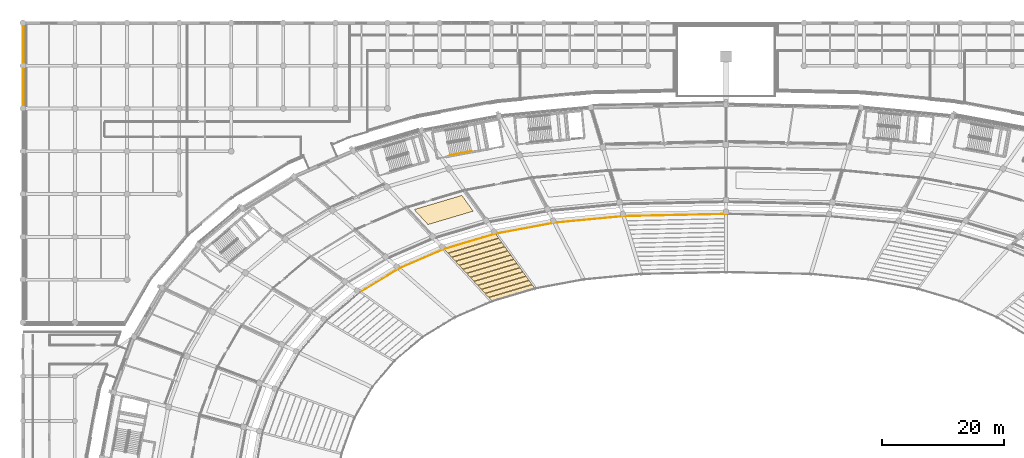
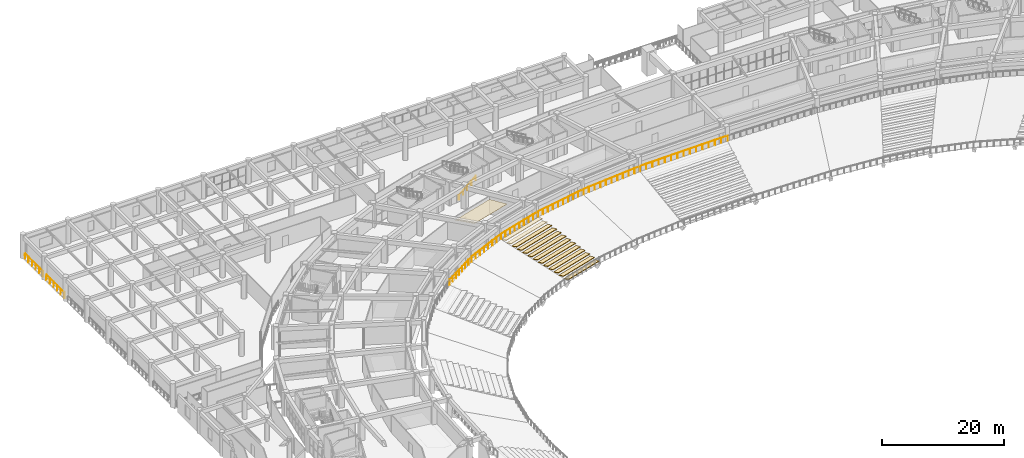
# One storey, part 146 of 152: 14 coverings, 4 railings.
"""IFC4 building model written with IfcOpenShell, lengths in metres."""

import ifcopenshell
import ifcopenshell.guid

model = None  # the IFC model being written
_history = None  # IfcOwnerHistory: only IFC2X3 demands one
_inside = {}  # id of a spatial element -> (the spatial element, [elements in it])
_under = {}  # id of a project, library or spatial element -> (it, [spatial elements below it])
_declared = {}  # id of a project -> (the project, [libraries it declares])
_typed = {}  # id of a type object -> (the type object, [elements of that type])
_made_of = {}  # id of a material, layer set ... -> (it, [elements and type objects made of it])


def new_model(schema):
    """Start an empty IFC model of exactly this schema.

    Asked for "IFC4X3", IfcOpenShell would pick the latest addendum, in which some entities
    have other attributes; the version numbers below select the first issue.
    IFC2X3 requires an IfcOwnerHistory on every rooted entity: one is made here for all.
    """
    global model, _history
    if schema == "IFC4X3":
        model = ifcopenshell.file(schema_version=(4, 3, 0, 0))
    else:
        model = ifcopenshell.file(schema=schema)
    _inside.clear()
    _under.clear()
    _declared.clear()
    _typed.clear()
    _made_of.clear()
    _history = None
    if model.schema == "IFC2X3":
        org = make("IfcOrganization", Name="unknown")
        user = make(
            "IfcPersonAndOrganization",
            ThePerson=make("IfcPerson", FamilyName="unknown"),
            TheOrganization=org,
        )
        app = make(
            "IfcApplication",
            ApplicationDeveloper=org,
            Version="unknown",
            ApplicationFullName="unknown",
            ApplicationIdentifier="unknown",
        )
        _history = make(
            "IfcOwnerHistory",
            OwningUser=user,
            OwningApplication=app,
            ChangeAction="ADDED",
            CreationDate=0,
        )
    return model


def make(cls, **values):
    """One entity of the class cls with the attributes given. An attribute that is None is left unset."""
    return model.create_entity(
        cls, **{name: value for name, value in values.items() if value is not None}
    )


def rooted(cls, **values):
    """An entity with a GlobalId (a new one), such as an element, a storey or a relation."""
    return make(cls, GlobalId=ifcopenshell.guid.new(), OwnerHistory=_history, **values)


def si_unit(unit_type, name, prefix=None):
    """IfcSIUnit, for example si_unit("LENGTHUNIT", "METRE", prefix="MILLI")."""
    return make("IfcSIUnit", UnitType=unit_type, Prefix=prefix, Name=name)


def assignment(units):
    """IfcUnitAssignment: the units of a project."""
    return None if units is None else make("IfcUnitAssignment", Units=units)


def point(xyz):
    """IfcCartesianPoint."""
    return None if xyz is None else make("IfcCartesianPoint", Coordinates=xyz)


def direction(xyz):
    """IfcDirection."""
    return None if xyz is None else make("IfcDirection", DirectionRatios=xyz)


def frame(location, z_axis=None, x_axis=None):
    """IfcAxis2Placement3D, a coordinate frame: its origin and axes. An axis left out is left unset."""
    return make(
        "IfcAxis2Placement3D",
        Location=point(location),
        Axis=direction(z_axis),
        RefDirection=direction(x_axis),
    )


def frame_2d(location, x_axis=None):
    """IfcAxis2Placement2D, a coordinate frame in the plane: its origin and x axis."""
    return make(
        "IfcAxis2Placement2D", Location=point(location), RefDirection=direction(x_axis)
    )


def origin():
    """The frame at (0, 0, 0) with its axes left unset."""
    return frame((0.0, 0.0, 0.0))


def origin_2d():
    """The frame at (0, 0) in the plane with its x axis left unset."""
    return frame_2d((0.0, 0.0))


def place(relative_to, where):
    """IfcLocalPlacement: puts the frame where relative to a parent placement (None: the world)."""
    return make(
        "IfcLocalPlacement", PlacementRelTo=relative_to, RelativePlacement=where
    )


def context(
    kind, dimensions, precision=None, world=None, true_north=None, identifier=None
):
    """IfcGeometricRepresentationContext, for example the 3D "Model" context."""
    return make(
        "IfcGeometricRepresentationContext",
        ContextIdentifier=identifier,
        ContextType=kind,
        CoordinateSpaceDimension=dimensions,
        Precision=precision,
        WorldCoordinateSystem=world,
        TrueNorth=true_north,
    )


def subcontext(parent, identifier, kind, view, scale=None):
    """IfcGeometricRepresentationSubContext, for example "Body" below "Model"."""
    return make(
        "IfcGeometricRepresentationSubContext",
        ContextIdentifier=identifier,
        ContextType=kind,
        ParentContext=parent,
        TargetScale=scale,
        TargetView=view,
    )


def project(units=None, contexts=None):
    """IfcProject with its units and contexts."""
    return rooted(
        "IfcProject",
        Name="project",
        RepresentationContexts=contexts,
        UnitsInContext=assignment(units),
    )


def spatial(cls, under=None, at=None, **own):
    """A site, building, storey or space (cls), placed at a placement, below another one or the project."""
    s = rooted(cls, ObjectPlacement=at, **own)
    if under is not None:
        _under.setdefault(under.id(), (under, []))[1].append(s)
    return s


def polyline(points):
    """IfcPolyline through the points."""
    return make("IfcPolyline", Points=[point(p) for p in points])


def profile(cls, at=None, kind="AREA", **sizes):
    """A parametric profile (cls). Its sizes go by their IFC names, for example OverallWidth=200.0."""
    return make(cls, ProfileType=kind, Position=at, **sizes)


def circle(**sizes):
    """IfcCircleProfileDef."""
    return profile("IfcCircleProfileDef", **sizes)


def outline(outer, holes=None, kind="AREA"):
    """IfcArbitraryClosedProfileDef: a profile drawn as a closed curve; with holes, ...WithVoids."""
    if holes is None:
        return make("IfcArbitraryClosedProfileDef", ProfileType=kind, OuterCurve=outer)
    return make(
        "IfcArbitraryProfileDefWithVoids",
        ProfileType=kind,
        OuterCurve=outer,
        InnerCurves=holes,
    )


def extrude(swept, where, along, depth):
    """IfcExtrudedAreaSolid: the profile swept, set in the frame where, extruded along a direction by depth."""
    return make(
        "IfcExtrudedAreaSolid",
        SweptArea=swept,
        Position=where,
        ExtrudedDirection=direction(along),
        Depth=depth,
    )


def shape(context_of_items, identifier, shape_type, items):
    """IfcShapeRepresentation: the items that make up one representation, for example the "Body"."""
    return make(
        "IfcShapeRepresentation",
        ContextOfItems=context_of_items,
        RepresentationIdentifier=identifier,
        RepresentationType=shape_type,
        Items=items,
    )


def material(Name=None, Category=None):
    """IfcMaterial."""
    return make("IfcMaterial", Name=Name, Category=Category)


def layer(
    of_material, thickness, ventilated=None, Name=None, Category=None, Priority=None
):
    """IfcMaterialLayer: one layer of a wall or slab, of a material (None: an air gap)."""
    return make(
        "IfcMaterialLayer",
        Material=of_material,
        LayerThickness=thickness,
        IsVentilated=ventilated,
        Name=Name,
        Category=Category,
        Priority=Priority,
    )


def layer_set(layers, Name=None):
    """IfcMaterialLayerSet."""
    return make("IfcMaterialLayerSet", MaterialLayers=layers, LayerSetName=Name)


def made_of(thing, what):
    """Note that an element or type object is made of a material, layer set ...; save() writes the relation."""
    if what is not None:
        _made_of.setdefault(what.id(), (what, []))[1].append(thing)
    return thing


def type_object(cls, material=None, **own):
    """A type object (cls), such as IfcWallType, which elements share."""
    return made_of(rooted(cls, **own), material)


def element(
    cls,
    number,
    at=None,
    inside=None,
    cuts=None,
    type_object=None,
    material=None,
    context=None,
    identifier="Body",
    shape_type=None,
    held_by="IfcProductDefinitionShape",
    body=None,
    shapes=None,
    **own,
):
    """One element of the class cls, such as IfcWall. Its Tag is "e" and its number.

    at: its placement. inside: the storey or other place that contains it. cuts: it is an
    opening in that element (IfcRelVoidsElement). A single representation is given by context,
    identifier, shape_type and body (its items); several are given by shapes. held_by: the class
    of the entity that holds the representations. save() writes the other relations.
    """
    e = rooted(cls, Tag="e%d" % number, ObjectPlacement=at, **own)
    if body is not None:
        shapes = [shape(context, identifier, shape_type, body)]
    if shapes is not None:
        e.Representation = make(held_by, Representations=shapes)
    if inside is not None:
        _inside.setdefault(inside.id(), (inside, []))[1].append(e)
    if cuts is not None:
        rooted(
            "IfcRelVoidsElement", RelatingBuildingElement=cuts, RelatedOpeningElement=e
        )
    if type_object is not None:
        _typed.setdefault(type_object.id(), (type_object, []))[1].append(e)
    return made_of(e, material)


def aggregate(whole, parts):
    """IfcRelAggregates: a whole, such as a stair, and the parts it consists of."""
    return rooted("IfcRelAggregates", RelatingObject=whole, RelatedObjects=parts)


def save(model, path):
    """Write the relations noted so far, then the file.

    IfcRelAggregates (storeys below a building ...), IfcRelContainedInSpatialStructure (elements
    in a storey), IfcRelDefinesByType, IfcRelAssociatesMaterial and IfcRelDeclares: one each for
    every whole, place, type object, material and project.
    """
    for whole, parts in _under.values():
        aggregate(whole, parts)
    for where, things in _inside.values():
        rooted(
            "IfcRelContainedInSpatialStructure",
            RelatedElements=things,
            RelatingStructure=where,
        )
    for kind, things in _typed.values():
        rooted("IfcRelDefinesByType", RelatedObjects=things, RelatingType=kind)
    for what, things in _made_of.values():
        rooted("IfcRelAssociatesMaterial", RelatedObjects=things, RelatingMaterial=what)
    for by, libraries in _declared.values():
        rooted("IfcRelDeclares", RelatingContext=by, RelatedDefinitions=libraries)
    model.write(path)


model = new_model("IFC4")

# Units and contexts
model_context = context("Model", 3, precision=1e-05, world=origin(), true_north=direction((0.0, 1.0)))
body_context = subcontext(model_context, "Body", "Model", "MODEL_VIEW")
ifc_project = project(units=[si_unit("LENGTHUNIT", "METRE"), si_unit("AREAUNIT", "SQUARE_METRE"), si_unit("VOLUMEUNIT", "CUBIC_METRE"), si_unit("PLANEANGLEUNIT", "RADIAN"), si_unit("MASSUNIT", "GRAM", prefix="KILO")], contexts=[model_context])

# Site, building, storey
site_placement = place(None, origin())
site = spatial("IfcSite", under=ifc_project, at=site_placement, CompositionType="ELEMENT")
building_placement = place(site_placement, origin())
building = spatial("IfcBuilding", under=site, at=building_placement, Name="Mphavela Belvedere Stadium", CompositionType="ELEMENT")
storey_placement = place(building_placement, frame((0.0, 0.0, 5.39990234375)))
storey = spatial("IfcBuildingStorey", under=building, at=storey_placement, Name="L01", CompositionType="ELEMENT", Elevation=5.39990234375)

# Coverings
ifc_material_1 = material(Name="Perforated acoustic mineral ceiling tile")
ifc_layer_1 = layer(ifc_material_1, 0.0400390625)
ifc_layer_set_1 = layer_set([ifc_layer_1], Name="Perforated acoustic mineral ceiling tile")
covering_type_1 = type_object("IfcCoveringType", Name="COV-CEILING-ACOUSTIC", PredefinedType="CEILING", material=ifc_layer_set_1)
covering_1_placement = place(storey_placement, frame((0.0, 0.0, 3.5)))
element("IfcCovering", 1, at=covering_1_placement, inside=storey, type_object=covering_type_1, Name="Concourse acoustic ceiling L01-16", PredefinedType="CEILING", context=body_context, shape_type="SweptSolid", body=[
    extrude(outline(polyline([(73.65234375, 143.20751953125), (66.2607421875, 141.013427734375), (63.997802734375, 143.467529296875), (71.802978515625, 145.7841796875), (73.65234375, 143.20751953125)])), origin(), (0.0, 0.0, 1.0), 0.0400390625),
])
ifc_material_2 = material(Name="Precast seating row terrazzo finish", Category="concrete")
ifc_layer_2 = layer(ifc_material_2, 0.1201171875)
ifc_layer_set_2 = layer_set([ifc_layer_2], Name="Precast seating row terrazzo finish")
covering_type_2 = type_object("IfcCoveringType", Name="COV-SEAT-ROW-L", PredefinedType="FLOORING", material=ifc_layer_set_2)
covering_2_placement = place(storey_placement, frame((0.0, 0.0, -3.75830078125)))
element("IfcCovering", 2, at=covering_2_placement, inside=storey, type_object=covering_type_2, Name="Lower stand seating row bench B16-R01", PredefinedType="FLOORING", context=body_context, shape_type="SweptSolid", body=[
    extrude(outline(polyline([(83.7568359375, 130.53662109375), (76.770263671875, 128.462890625), (76.212890625, 129.0673828125), (83.30126953125, 131.17138671875), (83.7568359375, 130.53662109375)])), origin(), (0.0, 0.0, 1.0), 0.119873046875),
])
covering_3_placement = place(storey_placement, frame((0.0, 0.0, -3.296875)))
element("IfcCovering", 3, at=covering_3_placement, inside=storey, type_object=covering_type_2, Name="Lower stand seating row bench B16-R02", PredefinedType="FLOORING", context=body_context, shape_type="SweptSolid", body=[
    extrude(outline(polyline([(83.26171875, 131.226806640625), (76.16455078125, 129.1201171875), (75.607177734375, 129.724609375), (82.80615234375, 131.861328125), (83.26171875, 131.226806640625)])), origin(), (0.0, 0.0, 1.0), 0.1201171875),
])
covering_4_placement = place(storey_placement, frame((0.0, 0.0, -2.835205078125)))
element("IfcCovering", 4, at=covering_4_placement, inside=storey, type_object=covering_type_2, Name="Lower stand seating row bench B16-R03", PredefinedType="FLOORING", context=body_context, shape_type="SweptSolid", body=[
    extrude(outline(polyline([(82.7666015625, 131.91650390625), (75.55859375, 129.777099609375), (75.001220703125, 130.381591796875), (82.31103515625, 132.551513671875), (82.7666015625, 131.91650390625)])), origin(), (0.0, 0.0, 1.0), 0.119873046875),
])
covering_5_placement = place(storey_placement, frame((0.0, 0.0, -2.373779296875)))
element("IfcCovering", 5, at=covering_5_placement, inside=storey, type_object=covering_type_2, Name="Lower stand seating row bench B16-R04", PredefinedType="FLOORING", context=body_context, shape_type="SweptSolid", body=[
    extrude(outline(polyline([(82.271484375, 132.6064453125), (74.952880859375, 130.43408203125), (74.3955078125, 131.03857421875), (81.81591796875, 133.2412109375), (82.271484375, 132.6064453125)])), origin(), (0.0, 0.0, 1.0), 0.1201171875),
])
covering_6_placement = place(storey_placement, frame((0.0, 0.0, -1.912109375)))
element("IfcCovering", 6, at=covering_6_placement, inside=storey, type_object=covering_type_2, Name="Lower stand seating row bench B16-R05", PredefinedType="FLOORING", context=body_context, shape_type="SweptSolid", body=[
    extrude(outline(polyline([(81.7763671875, 133.29638671875), (74.346923828125, 131.09130859375), (73.78955078125, 131.69580078125), (81.32080078125, 133.93115234375), (81.7763671875, 133.29638671875)])), origin(), (0.0, 0.0, 1.0), 0.119873046875),
])
covering_7_placement = place(storey_placement, frame((0.0, 0.0, -1.45068359375)))
element("IfcCovering", 7, at=covering_7_placement, inside=storey, type_object=covering_type_2, Name="Lower stand seating row bench B16-R06", PredefinedType="FLOORING", context=body_context, shape_type="SweptSolid", body=[
    extrude(outline(polyline([(81.28125, 133.986328125), (73.7412109375, 131.748291015625), (73.18359375, 132.352783203125), (80.82568359375, 134.62109375), (81.28125, 133.986328125)])), origin(), (0.0, 0.0, 1.0), 0.119873046875),
])
covering_8_placement = place(storey_placement, frame((0.0, 0.0, -0.989013671875)))
element("IfcCovering", 8, at=covering_8_placement, inside=storey, type_object=covering_type_2, Name="Lower stand seating row bench B16-R07", PredefinedType="FLOORING", context=body_context, shape_type="SweptSolid", body=[
    extrude(outline(polyline([(80.7861328125, 134.676513671875), (73.13525390625, 132.405517578125), (72.577880859375, 133.010009765625), (80.33056640625, 135.31103515625), (80.7861328125, 134.676513671875)])), origin(), (0.0, 0.0, 1.0), 0.119873046875),
])
covering_9_placement = place(storey_placement, frame((0.0, 0.0, -0.527587890625)))
element("IfcCovering", 9, at=covering_9_placement, inside=storey, type_object=covering_type_2, Name="Lower stand seating row bench B16-R08", PredefinedType="FLOORING", context=body_context, shape_type="SweptSolid", body=[
    extrude(outline(polyline([(80.291015625, 135.3662109375), (72.529296875, 133.0625), (71.97216796875, 133.6669921875), (79.83544921875, 136.001220703125), (80.291015625, 135.3662109375)])), origin(), (0.0, 0.0, 1.0), 0.119873046875),
])
covering_10_placement = place(storey_placement, frame((0.0, 0.0, -0.066162109375)))
element("IfcCovering", 10, at=covering_10_placement, inside=storey, type_object=covering_type_2, Name="Lower stand seating row bench B16-R09", PredefinedType="FLOORING", context=body_context, shape_type="SweptSolid", body=[
    extrude(outline(polyline([(79.7958984375, 136.05615234375), (71.923583984375, 133.719482421875), (71.3662109375, 134.323974609375), (79.34033203125, 136.69091796875), (79.7958984375, 136.05615234375)])), origin(), (0.0, 0.0, 1.0), 0.1201171875),
])
covering_11_placement = place(storey_placement, frame((0.0, 0.0, 0.3955078125)))
element("IfcCovering", 11, at=covering_11_placement, inside=storey, type_object=covering_type_2, Name="Lower stand seating row bench B16-R10", PredefinedType="FLOORING", context=body_context, shape_type="SweptSolid", body=[
    extrude(outline(polyline([(79.30078125, 136.74609375), (71.31787109375, 134.376708984375), (70.760498046875, 134.981201171875), (78.84521484375, 137.380859375), (79.30078125, 136.74609375)])), origin(), (0.0, 0.0, 1.0), 0.119873046875),
])
covering_12_placement = place(storey_placement, frame((0.0, 0.0, 0.85693359375)))
element("IfcCovering", 12, at=covering_12_placement, inside=storey, type_object=covering_type_2, Name="Lower stand seating row bench B16-R11", PredefinedType="FLOORING", context=body_context, shape_type="SweptSolid", body=[
    extrude(outline(polyline([(78.8056640625, 137.43603515625), (70.7119140625, 135.03369140625), (70.154541015625, 135.63818359375), (78.35009765625, 138.07080078125), (78.8056640625, 137.43603515625)])), origin(), (0.0, 0.0, 1.0), 0.1201171875),
])
covering_13_placement = place(storey_placement, frame((0.0, 0.0, 1.318603515625)))
element("IfcCovering", 13, at=covering_13_placement, inside=storey, type_object=covering_type_2, Name="Lower stand seating row bench B16-R12", PredefinedType="FLOORING", context=body_context, shape_type="SweptSolid", body=[
    extrude(outline(polyline([(78.310546875, 138.126220703125), (70.106201171875, 135.690673828125), (69.548583984375, 136.295166015625), (77.85498046875, 138.7607421875), (78.310546875, 138.126220703125)])), origin(), (0.0, 0.0, 1.0), 0.119873046875),
])
covering_14_placement = place(storey_placement, frame((0.0, 0.0, 1.780029296875)))
element("IfcCovering", 14, at=covering_14_placement, inside=storey, type_object=covering_type_2, Name="Lower stand seating row bench B16-R13", PredefinedType="FLOORING", context=body_context, shape_type="SweptSolid", body=[
    extrude(outline(polyline([(77.8154296875, 138.81591796875), (69.500244140625, 136.347900390625), (68.94287109375, 136.952392578125), (77.35986328125, 139.45068359375), (77.8154296875, 138.81591796875)])), origin(), (0.0, 0.0, 1.0), 0.1201171875),
])

# Railings
ifc_material_3 = material(Name="Bronze and laminated glass stadium balustrade", Category="glass")
railing_type_1 = type_object("IfcRailingType", Name="RAL-BALUSTRADE-1120", PredefinedType="BALUSTRADE", material=ifc_material_3)
railing_1_placement = place(storey_placement, frame((115.0, 142.739013671875, 1.900146484375)))
element("IfcRailing", 15, at=railing_1_placement, inside=storey, type_object=railing_type_1, Name="Bowl safety balustrade t1_rear S3", PredefinedType="BALUSTRADE", context=body_context, shape_type="SweptSolid", body=[
    extrude(circle(Radius=0.02392578125, at=origin_2d()), frame((0.0, 0.0, 1.09619140625), z_axis=(-0.999768164728, -0.021531762499, 0.0), x_axis=(0.021531762499, -0.999768164728, 0.0)), (0.0, 0.0, 1.0), 16.73583984375),
    extrude(circle(Radius=0.02392578125, at=origin_2d()), frame((-16.73193359375, -0.3603515625, 1.09619140625), z_axis=(-0.995485236334, -0.094916511953, 0.0), x_axis=(0.094916511953, -0.995485236334, 0.0)), (0.0, 0.0, 1.0), 11.368896484375),
    extrude(circle(Radius=0.02392578125, at=origin_2d()), frame((-28.049560546875, -1.439453125, 1.09619140625), z_axis=(-0.983092402982, -0.183110150455, 0.0), x_axis=(0.183110150455, -0.983092402982, 0.0)), (0.0, 0.0, 1.0), 9.795654296875),
    extrude(circle(Radius=0.02392578125, at=origin_2d()), frame((-37.6796875, -3.233154296875, 1.09619140625), z_axis=(-0.958662376763, -0.284546037364, 0.0), x_axis=(0.284546037364, -0.958662376763, 0.0)), (0.0, 0.0, 1.0), 8.789306640625),
    extrude(circle(Radius=0.02392578125, at=origin_2d()), frame((-46.105712890625, -5.734130859375, 1.09619140625), z_axis=(-0.917498798541, -0.397738550654, 0.0), x_axis=(0.397738550654, -0.917498798541, 0.0)), (0.0, 0.0, 1.0), 8.047119140625),
    extrude(circle(Radius=0.02392578125, at=origin_2d()), frame((-53.489013671875, -8.934814453125, 1.09619140625), z_axis=(-0.854322499928, -0.519743269429, 0.0), x_axis=(0.519743269429, -0.854322499928, 0.0)), (0.0, 0.0, 1.0), 7.49169921875),
    extrude(circle(Radius=0.02099609375, at=origin_2d()), origin(), (0.0, 0.0, 1.0), 1.072021484375),
    extrude(circle(Radius=0.02099609375, at=origin_2d()), frame((-1.195068359375, -0.025634765625, 0.0)), (0.0, 0.0, 1.0), 1.072021484375),
    extrude(circle(Radius=0.02099609375, at=origin_2d()), frame((-2.390380859375, -0.051513671875, 0.0)), (0.0, 0.0, 1.0), 1.072021484375),
    extrude(circle(Radius=0.02099609375, at=origin_2d()), frame((-3.58544921875, -0.0771484375, 0.0)), (0.0, 0.0, 1.0), 1.072021484375),
    extrude(circle(Radius=0.02099609375, at=origin_2d()), frame((-4.780517578125, -0.10302734375, 0.0)), (0.0, 0.0, 1.0), 1.072021484375),
    extrude(circle(Radius=0.02099609375, at=origin_2d()), frame((-5.9755859375, -0.128662109375, 0.0)), (0.0, 0.0, 1.0), 1.072021484375),
    extrude(circle(Radius=0.02099609375, at=origin_2d()), frame((-7.1708984375, -0.154541015625, 0.0)), (0.0, 0.0, 1.0), 1.072021484375),
    extrude(circle(Radius=0.02099609375, at=origin_2d()), frame((-8.365966796875, -0.18017578125, 0.0)), (0.0, 0.0, 1.0), 1.072021484375),
    extrude(circle(Radius=0.02099609375, at=origin_2d()), frame((-9.56103515625, -0.205810546875, 0.0)), (0.0, 0.0, 1.0), 1.072021484375),
    extrude(circle(Radius=0.02099609375, at=origin_2d()), frame((-10.75634765625, -0.231689453125, 0.0)), (0.0, 0.0, 1.0), 1.072021484375),
    extrude(circle(Radius=0.02099609375, at=origin_2d()), frame((-11.951416015625, -0.25732421875, 0.0)), (0.0, 0.0, 1.0), 1.072021484375),
    extrude(circle(Radius=0.02099609375, at=origin_2d()), frame((-13.146484375, -0.283203125, 0.0)), (0.0, 0.0, 1.0), 1.072021484375),
    extrude(circle(Radius=0.02099609375, at=origin_2d()), frame((-14.341552734375, -0.308837890625, 0.0)), (0.0, 0.0, 1.0), 1.072021484375),
    extrude(circle(Radius=0.02099609375, at=origin_2d()), frame((-15.536865234375, -0.334716796875, 0.0)), (0.0, 0.0, 1.0), 1.072021484375),
    extrude(circle(Radius=0.02099609375, at=origin_2d()), frame((-16.73193359375, -0.3603515625, 0.0)), (0.0, 0.0, 1.0), 1.072021484375),
    extrude(circle(Radius=0.02099609375, at=origin_2d()), frame((-17.86376953125, -0.46826171875, 0.0)), (0.0, 0.0, 1.0), 1.072021484375),
    extrude(circle(Radius=0.02099609375, at=origin_2d()), frame((-18.995361328125, -0.576171875, 0.0)), (0.0, 0.0, 1.0), 1.072021484375),
    extrude(circle(Radius=0.02099609375, at=origin_2d()), frame((-20.127197265625, -0.68408203125, 0.0)), (0.0, 0.0, 1.0), 1.072021484375),
    extrude(circle(Radius=0.02099609375, at=origin_2d()), frame((-21.259033203125, -0.7919921875, 0.0)), (0.0, 0.0, 1.0), 1.072021484375),
    extrude(circle(Radius=0.02099609375, at=origin_2d()), frame((-22.390625, -0.89990234375, 0.0)), (0.0, 0.0, 1.0), 1.072021484375),
    extrude(circle(Radius=0.02099609375, at=origin_2d()), frame((-23.5224609375, -1.0078125, 0.0)), (0.0, 0.0, 1.0), 1.072021484375),
    extrude(circle(Radius=0.02099609375, at=origin_2d()), frame((-24.654296875, -1.11572265625, 0.0)), (0.0, 0.0, 1.0), 1.072021484375),
    extrude(circle(Radius=0.02099609375, at=origin_2d()), frame((-25.7861328125, -1.2236328125, 0.0)), (0.0, 0.0, 1.0), 1.072021484375),
    extrude(circle(Radius=0.02099609375, at=origin_2d()), frame((-26.917724609375, -1.33154296875, 0.0)), (0.0, 0.0, 1.0), 1.072021484375),
    extrude(circle(Radius=0.02099609375, at=origin_2d()), frame((-28.049560546875, -1.439453125, 0.0)), (0.0, 0.0, 1.0), 1.072021484375),
    extrude(circle(Radius=0.02099609375, at=origin_2d()), frame((-29.11962890625, -1.638671875, 0.0)), (0.0, 0.0, 1.0), 1.072021484375),
    extrude(circle(Radius=0.02099609375, at=origin_2d()), frame((-30.189697265625, -1.838134765625, 0.0)), (0.0, 0.0, 1.0), 1.072021484375),
    extrude(circle(Radius=0.02099609375, at=origin_2d()), frame((-31.259521484375, -2.037353515625, 0.0)), (0.0, 0.0, 1.0), 1.072021484375),
    extrude(circle(Radius=0.02099609375, at=origin_2d()), frame((-32.32958984375, -2.236572265625, 0.0)), (0.0, 0.0, 1.0), 1.072021484375),
    extrude(circle(Radius=0.02099609375, at=origin_2d()), frame((-33.399658203125, -2.43603515625, 0.0)), (0.0, 0.0, 1.0), 1.072021484375),
    extrude(circle(Radius=0.02099609375, at=origin_2d()), frame((-34.4697265625, -2.63525390625, 0.0)), (0.0, 0.0, 1.0), 1.072021484375),
    extrude(circle(Radius=0.02099609375, at=origin_2d()), frame((-35.53955078125, -2.83447265625, 0.0)), (0.0, 0.0, 1.0), 1.072021484375),
    extrude(circle(Radius=0.02099609375, at=origin_2d()), frame((-36.609619140625, -3.033935546875, 0.0)), (0.0, 0.0, 1.0), 1.072021484375),
    extrude(circle(Radius=0.02099609375, at=origin_2d()), frame((-37.6796875, -3.233154296875, 0.0)), (0.0, 0.0, 1.0), 1.072021484375),
    extrude(circle(Radius=0.02099609375, at=origin_2d()), frame((-38.73291015625, -3.5458984375, 0.0)), (0.0, 0.0, 1.0), 1.072021484375),
    extrude(circle(Radius=0.02099609375, at=origin_2d()), frame((-39.7861328125, -3.8583984375, 0.0)), (0.0, 0.0, 1.0), 1.072021484375),
    extrude(circle(Radius=0.02099609375, at=origin_2d()), frame((-40.83935546875, -4.1708984375, 0.0)), (0.0, 0.0, 1.0), 1.072021484375),
    extrude(circle(Radius=0.02099609375, at=origin_2d()), frame((-41.892578125, -4.483642578125, 0.0)), (0.0, 0.0, 1.0), 1.072021484375),
    extrude(circle(Radius=0.02099609375, at=origin_2d()), frame((-42.946044921875, -4.79638671875, 0.0)), (0.0, 0.0, 1.0), 1.072021484375),
    extrude(circle(Radius=0.02099609375, at=origin_2d()), frame((-43.999267578125, -5.10888671875, 0.0)), (0.0, 0.0, 1.0), 1.072021484375),
    extrude(circle(Radius=0.02099609375, at=origin_2d()), frame((-45.052490234375, -5.42138671875, 0.0)), (0.0, 0.0, 1.0), 1.072021484375),
    extrude(circle(Radius=0.02099609375, at=origin_2d()), frame((-46.105712890625, -5.734130859375, 0.0)), (0.0, 0.0, 1.0), 1.072021484375),
    extrude(circle(Radius=0.02099609375, at=origin_2d()), frame((-47.160400390625, -6.19140625, 0.0)), (0.0, 0.0, 1.0), 1.072021484375),
    extrude(circle(Radius=0.02099609375, at=origin_2d()), frame((-48.21533203125, -6.648681640625, 0.0)), (0.0, 0.0, 1.0), 1.072021484375),
    extrude(circle(Radius=0.02099609375, at=origin_2d()), frame((-49.27001953125, -7.10595703125, 0.0)), (0.0, 0.0, 1.0), 1.072021484375),
    extrude(circle(Radius=0.02099609375, at=origin_2d()), frame((-50.32470703125, -7.56298828125, 0.0)), (0.0, 0.0, 1.0), 1.072021484375),
    extrude(circle(Radius=0.02099609375, at=origin_2d()), frame((-51.37939453125, -8.020263671875, 0.0)), (0.0, 0.0, 1.0), 1.072021484375),
    extrude(circle(Radius=0.02099609375, at=origin_2d()), frame((-52.434326171875, -8.4775390625, 0.0)), (0.0, 0.0, 1.0), 1.072021484375),
    extrude(circle(Radius=0.02099609375, at=origin_2d()), frame((-53.489013671875, -8.934814453125, 0.0)), (0.0, 0.0, 1.0), 1.072021484375),
    extrude(circle(Radius=0.02099609375, at=origin_2d()), frame((-54.4033203125, -9.490966796875, 0.0)), (0.0, 0.0, 1.0), 1.072021484375),
    extrude(circle(Radius=0.02099609375, at=origin_2d()), frame((-55.317626953125, -10.04736328125, 0.0)), (0.0, 0.0, 1.0), 1.072021484375),
    extrude(circle(Radius=0.02099609375, at=origin_2d()), frame((-56.23193359375, -10.603515625, 0.0)), (0.0, 0.0, 1.0), 1.072021484375),
    extrude(circle(Radius=0.02099609375, at=origin_2d()), frame((-57.146484375, -11.159912109375, 0.0)), (0.0, 0.0, 1.0), 1.072021484375),
    extrude(circle(Radius=0.02099609375, at=origin_2d()), frame((-58.060791015625, -11.716064453125, 0.0)), (0.0, 0.0, 1.0), 1.072021484375),
    extrude(circle(Radius=0.02099609375, at=origin_2d()), frame((-58.97509765625, -12.2724609375, 0.0)), (0.0, 0.0, 1.0), 1.072021484375),
    extrude(circle(Radius=0.02099609375, at=origin_2d()), frame((-59.889404296875, -12.82861328125, 0.0)), (0.0, 0.0, 1.0), 1.072021484375),
])
for number, where, name in (
    (16, (0.080078125, 160.54345703125, 0.0), "Peristyle wing gallery edge balustrade L01-42"),
    (17, (0.080078125, 167.54345703125, 0.0), "Peristyle wing gallery edge balustrade L01-43"),
):
    element("IfcRailing", number, at=place(storey_placement, frame(where)), inside=storey, type_object=railing_type_1, Name=name, PredefinedType="BALUSTRADE", context=body_context, shape_type="SweptSolid", body=[
        extrude(circle(Radius=0.02392578125, at=origin_2d()), frame((0.0, 0.0, 1.09619140625), z_axis=(0.0, 1.0, 0.0), x_axis=(-1.0, 0.0, 0.0)), (0.0, 0.0, 1.0), 5.9130859375),
        extrude(circle(Radius=0.02099609375, at=origin_2d()), origin(), (0.0, 0.0, 1.0), 1.072021484375),
        extrude(circle(Radius=0.02099609375, at=origin_2d()), frame((0.0, 1.1826171875, 0.0)), (0.0, 0.0, 1.0), 1.072021484375),
        extrude(circle(Radius=0.02099609375, at=origin_2d()), frame((0.0, 2.365234375, 0.0)), (0.0, 0.0, 1.0), 1.072021484375),
        extrude(circle(Radius=0.02099609375, at=origin_2d()), frame((0.0, 3.5478515625, 0.0)), (0.0, 0.0, 1.0), 1.072021484375),
        extrude(circle(Radius=0.02099609375, at=origin_2d()), frame((0.0, 4.73046875, 0.0)), (0.0, 0.0, 1.0), 1.072021484375),
        extrude(circle(Radius=0.02099609375, at=origin_2d()), frame((0.0, 5.9130859375, 0.0)), (0.0, 0.0, 1.0), 1.072021484375),
    ])
ifc_material_4 = material(Name="Brushed stainless steel tubular handrail", Category="steel")
railing_type_2 = type_object("IfcRailingType", Name="RAL-HANDRAIL-900", PredefinedType="HANDRAIL", material=ifc_material_4)
railing_2_placement = place(storey_placement, frame((69.827392578125, 152.358642578125, 0.184814453125)))
element("IfcRailing", 18, at=railing_2_placement, inside=storey, type_object=railing_type_2, Name="L01 ST-C02 stair handrail 1", PredefinedType="HANDRAIL", context=body_context, shape_type="SweptSolid", body=[
    extrude(circle(Radius=0.02392578125, at=origin_2d()), frame((0.0, 0.0, 0.8759765625), z_axis=(0.838788087983, 0.156227370872, 0.521562606068), x_axis=(-0.183104767783, 0.983093405539, 0.0)), (0.0, 0.0, 1.0), 4.24755859375),
    extrude(circle(Radius=0.02099609375, at=origin_2d()), origin(), (0.0, 0.0, 1.0), 0.851806640625),
    extrude(circle(Radius=0.02099609375, at=origin_2d()), frame((0.890625, 0.166015625, 0.5537109375)), (0.0, 0.0, 1.0), 0.851806640625),
    extrude(circle(Radius=0.02099609375, at=origin_2d()), frame((1.78125, 0.331787109375, 1.107666015625)), (0.0, 0.0, 1.0), 0.851806640625),
    extrude(circle(Radius=0.02099609375, at=origin_2d()), frame((2.672119140625, 0.49755859375, 1.66162109375)), (0.0, 0.0, 1.0), 0.851806640625),
    extrude(circle(Radius=0.02099609375, at=origin_2d()), frame((3.562744140625, 0.66357421875, 2.21533203125)), (0.0, 0.0, 1.0), 0.851806640625),
])

save(model, "model.ifc")
